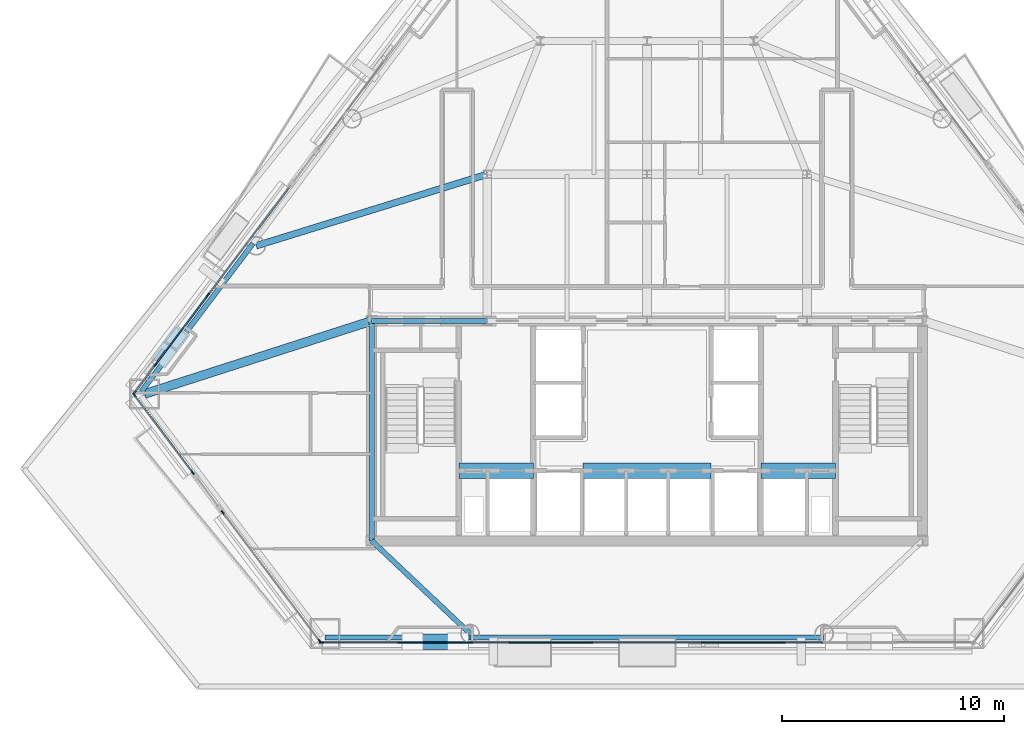
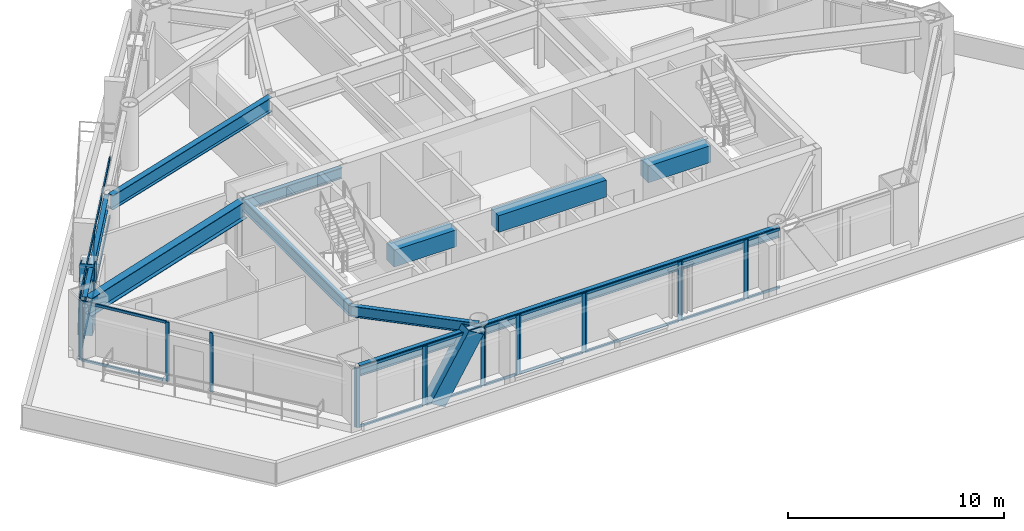
# One storey, part 2 of 13: 46 members, 11 beams, 12 elements without a shape of their own.
"""IFC4 building model written with IfcOpenShell, lengths in metres."""

from ifc_helpers import new_model, si_unit, direction, frame, origin, origin_2d, place, context, subcontext, project, spatial, rectangle, hollow_rectangle, i_section, extrude, material, layer, layer_set, material_profile, profile_set, type_object, element, aggregate, save


model = new_model("IFC4")

# Units and contexts
model_context = context("Model", 3, precision=1e-05, world=origin(), true_north=direction((0.0, 1.0)))
body_context = subcontext(model_context, "Body", "Model", "MODEL_VIEW")
ifc_project = project(units=[si_unit("LENGTHUNIT", "METRE"), si_unit("AREAUNIT", "SQUARE_METRE"), si_unit("VOLUMEUNIT", "CUBIC_METRE"), si_unit("PLANEANGLEUNIT", "RADIAN"), si_unit("MASSUNIT", "GRAM", prefix="KILO")], contexts=[model_context])

# Site, building, storey
site_placement = place(None, origin())
site = spatial("IfcSite", under=ifc_project, at=site_placement, CompositionType="ELEMENT")
building_placement = place(site_placement, origin())
building = spatial("IfcBuilding", under=site, at=building_placement, Name="Talgorran Terracotta Tower", CompositionType="ELEMENT")
storey_placement = place(building_placement, frame((0.0, 0.0, 24.300048828125)))
storey = spatial("IfcBuildingStorey", under=building, at=storey_placement, Name="L05", CompositionType="ELEMENT", Elevation=24.300048828125)

# Beams
ifc_material_1 = material(Name="Steel Grade 350 (350L0)", Category="steel")
ifc_material_profile_1 = material_profile(ifc_material_1, i_section(OverallWidth=0.39990234375, OverallDepth=1.0, WebThickness=0.01611328125, FlangeThickness=0.031005859375, at=origin_2d()), Name="1000WB296")
ifc_profile_set_1 = profile_set([ifc_material_profile_1], Name="Steel Grade 350 (350L0)")
beam_type_1 = type_object("IfcBeamType", Name="BM_1000WB296", PredefinedType="BEAM", material=ifc_profile_set_1)
beam_1_placement = place(storey_placement, frame((-12.39990234375, -4.199951171875, 2.849853515625), z_axis=(-0.951935828117, -0.306297533694, 0.0), x_axis=(0.306297533694, -0.951935828117, 0.0)))
element("IfcBeam", 1, at=beam_1_placement, inside=storey, type_object=beam_type_1, Name="L05 Floor Girder G17", PredefinedType="BEAM", context=body_context, shape_type="SweptSolid", body=[
    extrude(i_section(OverallWidth=0.39990234375, OverallDepth=1.0, WebThickness=0.01611328125, FlangeThickness=0.031005859375, at=origin_2d()), origin(), (0.0, 0.0, 1.0), 10.742919921875),
])
ifc_material_2 = material(Name="Steel S355 (300PLUS)", Category="steel")
ifc_material_profile_2 = material_profile(ifc_material_2, i_section(OverallWidth=0.300048828125, OverallDepth=0.81591796875, WebThickness=0.013916015625, FlangeThickness=0.028076171875, at=origin_2d()), Name="800WB192")
ifc_profile_set_2 = profile_set([ifc_material_profile_2], Name="Steel S355 (300PLUS)")
beam_type_2 = type_object("IfcBeamType", Name="BM_800WB192", PredefinedType="BEAM", material=ifc_profile_set_2)
beam_2_placement = place(storey_placement, frame((-7.199951171875, 2.39990234375, 2.94189453125), z_axis=(-0.955282572472, -0.295694448259, 0.0), x_axis=(0.295694448259, -0.955282572472, 0.0)))
element("IfcBeam", 2, at=beam_2_placement, inside=storey, type_object=beam_type_2, Name="L05 Floor Girder G06", PredefinedType="BEAM", context=body_context, shape_type="SweptSolid", body=[
    extrude(i_section(OverallWidth=0.300048828125, OverallDepth=0.81591796875, WebThickness=0.013916015625, FlangeThickness=0.028076171875, at=origin_2d()), origin(), (0.0, 0.0, 1.0), 10.88623046875),
])
ifc_material_3 = material(Name="Concrete C65/80", Category="concrete")
ifc_material_profile_3 = material_profile(ifc_material_3, rectangle(XDim=0.699951171875, YDim=0.949951171875, at=origin_2d()), Name="RCCB700X950")
ifc_profile_set_3 = profile_set([ifc_material_profile_3], Name="Concrete C65/80")
beam_type_3 = type_object("IfcBeamType", Name="BM_CB_700X950", PredefinedType="LINTEL", material=ifc_profile_set_3)
beam_3_placement = place(storey_placement, frame((-8.47998046875, -10.949951171875, 2.875), z_axis=(1.0, 0.0, 0.0), x_axis=(0.0, 1.0, 0.0)))
element("IfcBeam", 3, at=beam_3_placement, inside=storey, type_object=beam_type_3, Name="L05 Core Shear-Wall Coupling Beam CB1", PredefinedType="LINTEL", context=body_context, shape_type="SweptSolid", body=[
    extrude(rectangle(XDim=0.699951171875, YDim=0.949951171875, at=origin_2d()), origin(), (0.0, 0.0, 1.0), 3.35986328125),
])
beam_4_placement = place(storey_placement, frame((-2.8798828125, -10.949951171875, 2.875), z_axis=(1.0, 0.0, 0.0), x_axis=(0.0, 1.0, 0.0)))
element("IfcBeam", 4, at=beam_4_placement, inside=storey, type_object=beam_type_3, Name="L05 Core Shear-Wall Coupling Beam CB2", PredefinedType="LINTEL", context=body_context, shape_type="SweptSolid", body=[
    extrude(rectangle(XDim=0.699951171875, YDim=0.949951171875, at=origin_2d()), origin(), (0.0, 0.0, 1.0), 5.759765625),
])
beam_5_placement = place(storey_placement, frame((5.1201171875, -10.949951171875, 2.875), z_axis=(1.0, 0.0, 0.0), x_axis=(0.0, 1.0, 0.0)))
element("IfcBeam", 5, at=beam_5_placement, inside=storey, type_object=beam_type_3, Name="L05 Core Shear-Wall Coupling Beam CB3", PredefinedType="LINTEL", context=body_context, shape_type="SweptSolid", body=[
    extrude(rectangle(XDim=0.699951171875, YDim=0.949951171875, at=origin_2d()), origin(), (0.0, 0.0, 1.0), 3.35986328125),
])
ifc_material_profile_4 = material_profile(ifc_material_2, i_section(OverallWidth=0.22900390625, OverallDepth=0.611572265625, WebThickness=0.011962890625, FlangeThickness=0.01953125, at=origin_2d()), Name="610UB125")
ifc_profile_set_4 = profile_set([ifc_material_profile_4], Name="Steel S355 (300PLUS)")
beam_type_4 = type_object("IfcBeamType", Name="BM_SP_610UB125", PredefinedType="SPANDREL", material=ifc_profile_set_4)
beam_6_placement = place(storey_placement, frame((-14.495849609375, -18.4599609375, 3.044189453125), z_axis=(1.0, 0.0, 0.0), x_axis=(0.0, 1.0, 0.0)))
element("IfcBeam", 6, at=beam_6_placement, inside=storey, type_object=beam_type_4, Name="L05 Perimeter Spandrel Beam MC2-FC1", PredefinedType="SPANDREL", context=body_context, shape_type="SweptSolid", body=[
    extrude(i_section(OverallWidth=0.22900390625, OverallDepth=0.611572265625, WebThickness=0.011962890625, FlangeThickness=0.01953125, at=origin_2d()), origin(), (0.0, 0.0, 1.0), 6.523193359375),
])
beam_7_placement = place(storey_placement, frame((-7.97265625, -18.4599609375, 3.044189453125), z_axis=(1.0, 0.0, 0.0), x_axis=(0.0, 1.0, 0.0)))
element("IfcBeam", 7, at=beam_7_placement, inside=storey, type_object=beam_type_4, Name="L05 Perimeter Spandrel Beam FC1-FC2", PredefinedType="SPANDREL", context=body_context, shape_type="SweptSolid", body=[
    extrude(i_section(OverallWidth=0.22900390625, OverallDepth=0.611572265625, WebThickness=0.011962890625, FlangeThickness=0.01953125, at=origin_2d()), origin(), (0.0, 0.0, 1.0), 15.9453125),
])
beam_8_placement = place(storey_placement, frame((-17.7431640625, -0.710693359375, 3.044189453125), z_axis=(-0.601803503312, -0.798644190739, 0.0), x_axis=(0.798644190739, -0.601803503312, 0.0)))
element("IfcBeam", 8, at=beam_8_placement, inside=storey, type_object=beam_type_4, Name="L05 Perimeter Spandrel Beam FC6-MC1", PredefinedType="SPANDREL", context=body_context, shape_type="SweptSolid", body=[
    extrude(i_section(OverallWidth=0.22900390625, OverallDepth=0.611572265625, WebThickness=0.011962890625, FlangeThickness=0.01953125, at=origin_2d()), origin(), (0.0, 0.0, 1.0), 8.353271484375),
])
beam_9_placement = place(storey_placement, frame((-7.97265625, -18.280029296875, 3.044189453125), z_axis=(-0.727124342691, 0.686505783126, 0.0), x_axis=(-0.686505783126, -0.727124342691, 0.0)))
element("IfcBeam", 9, at=beam_9_placement, inside=storey, type_object=beam_type_4, Name="L05 South-West Core Tie Beam", PredefinedType="SPANDREL", context=body_context, shape_type="SweptSolid", body=[
    extrude(i_section(OverallWidth=0.22900390625, OverallDepth=0.611572265625, WebThickness=0.011962890625, FlangeThickness=0.01953125, at=origin_2d()), origin(), (0.0, 0.0, 1.0), 6.088623046875),
])
beam_10_placement = place(storey_placement, frame((-12.39990234375, -14.10009765625, 3.044189453125), z_axis=(0.0, 1.0, 0.0), x_axis=(-1.0, 0.0, 0.0)))
element("IfcBeam", 10, at=beam_10_placement, inside=storey, type_object=beam_type_4, Name="L05 Core Frame Beam CFW", PredefinedType="SPANDREL", context=body_context, shape_type="SweptSolid", body=[
    extrude(i_section(OverallWidth=0.22900390625, OverallDepth=0.611572265625, WebThickness=0.011962890625, FlangeThickness=0.01953125, at=origin_2d()), origin(), (0.0, 0.0, 1.0), 9.900146484375),
])
beam_11_placement = place(storey_placement, frame((-12.39990234375, -4.199951171875, 3.044189453125), z_axis=(1.0, 0.0, 0.0), x_axis=(0.0, 1.0, 0.0)))
element("IfcBeam", 11, at=beam_11_placement, inside=storey, type_object=beam_type_4, Name="L05 Core Frame Beam CFN1", PredefinedType="SPANDREL", context=body_context, shape_type="SweptSolid", body=[
    extrude(i_section(OverallWidth=0.22900390625, OverallDepth=0.611572265625, WebThickness=0.011962890625, FlangeThickness=0.01953125, at=origin_2d()), origin(), (0.0, 0.0, 1.0), 5.199951171875),
])

# Members
ifc_material_profile_5 = material_profile(ifc_material_1, hollow_rectangle(XDim=0.699951171875, YDim=0.89990234375, WallThickness=0.050048828125, at=origin_2d()), Name="WBOX900X700X50")
ifc_profile_set_5 = profile_set([ifc_material_profile_5], Name="Steel Grade 350 (350L0)")
member_type_1 = type_object("IfcMemberType", Name="MB_MEGA_900", PredefinedType="BRACE", material=ifc_profile_set_5)
member_1_placement = place(storey_placement, frame((-10.56640625, -18.639892578125, -0.025146484375), z_axis=(0.517195361559, 0.0, 0.855867371724), x_axis=(0.0, 1.0, 0.0)))
element("IfcMember", 12, at=member_1_placement, inside=storey, type_object=member_type_1, Name="L05 Exterior Face Mega-Brace MB-1 (SWF)", PredefinedType="BRACE", context=body_context, shape_type="SweptSolid", body=[
    extrude(hollow_rectangle(XDim=0.699951171875, YDim=0.89990234375, WallThickness=0.050048828125, at=origin_2d()), origin(), (0.0, 0.0, 1.0), 3.97265625),
])
member_2_placement = place(storey_placement, frame((-21.73095703125, -5.70361328125, -0.025146484375), z_axis=(0.153960189271, 0.204285318766, 0.966728384116), x_axis=(-0.79859763006, 0.601865288302, 0.0)))
element("IfcMember", 13, at=member_2_placement, inside=storey, type_object=member_type_1, Name="L05 Exterior Face Mega-Brace MB-1 (NWL)", PredefinedType="BRACE", context=body_context, shape_type="SweptSolid", body=[
    extrude(hollow_rectangle(XDim=0.699951171875, YDim=0.89990234375, WallThickness=0.050048828125, at=origin_2d()), origin(), (0.0, 0.0, 1.0), 3.51708984375),
])

# Curtain wall, members
ifc_material_4 = material(Name="Unitised Low-E Double Glazing", Category="glass")
ifc_layer = layer(ifc_material_4, 0.199951171875, Name="CW_SYS2_RES_LOW")
ifc_layer_set = layer_set([ifc_layer], Name="Unitised Low-E Double Glazing")
curtain_wall_type = type_object("IfcCurtainWallType", Name="CW_SYS2_RES_LOW", PredefinedType="NOTDEFINED", material=ifc_layer_set)
curtain_wall_1_placement = place(storey_placement, origin())
curtain_wall_1 = element("IfcCurtainWall", 14, at=curtain_wall_1_placement, inside=storey, type_object=curtain_wall_type, Name="CW-L05-F10", PredefinedType="NOTDEFINED")
ifc_material_5 = material(Name="Architectural Aluminium 6063-T6", Category="aluminium")
ifc_material_profile_6 = material_profile(ifc_material_5, rectangle(XDim=0.06494140625, YDim=0.18505859375, at=origin_2d()), Name="CWM65X185")
ifc_profile_set_6 = profile_set([ifc_material_profile_6], Name="Architectural Aluminium 6063-T6")
member_type_2 = type_object("IfcMemberType", Name="MUL_65X185", PredefinedType="MULLION", material=ifc_profile_set_6)
member_3_placement = place(storey_placement, frame((-23.083740234375, -7.54833984375, 0.0), z_axis=(0.0, 0.0, 1.0), x_axis=(0.79864555374, 0.601801694491, 0.0)))
member_3 = element("IfcMember", 15, at=member_3_placement, type_object=member_type_2, Name="CW-L05-10 mullion 1", PredefinedType="MULLION", context=body_context, shape_type="SweptSolid", body=[
    extrude(rectangle(XDim=0.06494140625, YDim=0.18505859375, at=origin_2d()), origin(), (0.0, 0.0, 1.0), 3.349853515625),
])
member_4_placement = place(storey_placement, frame((-20.452880859375, -11.03955078125, 0.0), z_axis=(0.0, 0.0, 1.0), x_axis=(0.79864555374, 0.601801694491, 0.0)))
member_4 = element("IfcMember", 16, at=member_4_placement, type_object=member_type_2, Name="CW-L05-10 mullion 2", PredefinedType="MULLION", context=body_context, shape_type="SweptSolid", body=[
    extrude(rectangle(XDim=0.06494140625, YDim=0.18505859375, at=origin_2d()), origin(), (0.0, 0.0, 1.0), 3.349853515625),
])

curtain_wall_2_placement = place(storey_placement, origin())
curtain_wall_2 = element("IfcCurtainWall", 17, at=curtain_wall_2_placement, inside=storey, type_object=curtain_wall_type, Name="CW-L05-F11", PredefinedType="NOTDEFINED")
member_5_placement = place(storey_placement, frame((-19.11376953125, -12.816650390625, 0.0), z_axis=(0.0, 0.0, 1.0), x_axis=(0.798638317959, 0.601811296909, 0.0)))
member_5 = element("IfcMember", 18, at=member_5_placement, type_object=member_type_2, Name="CW-L05-11 mullion 1", PredefinedType="MULLION", context=body_context, shape_type="SweptSolid", body=[
    extrude(rectangle(XDim=0.06494140625, YDim=0.18505859375, at=origin_2d()), origin(), (0.0, 0.0, 1.0), 3.349853515625),
])
member_6_placement = place(storey_placement, frame((-14.739013671875, -18.6220703125, 0.0), z_axis=(0.0, 0.0, 1.0), x_axis=(0.798638317959, 0.601811296909, 0.0)))
member_6 = element("IfcMember", 19, at=member_6_placement, type_object=member_type_2, Name="CW-L05-11 mullion 2", PredefinedType="MULLION", context=body_context, shape_type="SweptSolid", body=[
    extrude(rectangle(XDim=0.06494140625, YDim=0.18505859375, at=origin_2d()), origin(), (0.0, 0.0, 1.0), 3.349853515625),
])
aggregate(curtain_wall_2, [member_5, member_6])

curtain_wall_3_placement = place(storey_placement, origin())
curtain_wall_3 = element("IfcCurtainWall", 20, at=curtain_wall_3_placement, inside=storey, type_object=curtain_wall_type, Name="CW-L05-F1", PredefinedType="NOTDEFINED")
member_7_placement = place(storey_placement, frame((-14.662841796875, -18.679931640625, 0.0), z_axis=(0.0, 0.0, 1.0), x_axis=(0.0, 1.0, 0.0)))
member_7 = element("IfcMember", 21, at=member_7_placement, type_object=member_type_2, Name="CW-L05-1 mullion 1", PredefinedType="MULLION", context=body_context, shape_type="SweptSolid", body=[
    extrude(rectangle(XDim=0.06494140625, YDim=0.18505859375, at=origin_2d()), origin(), (0.0, 0.0, 1.0), 3.349853515625),
])
member_8_placement = place(storey_placement, frame((-11.138916015625, -18.679931640625, 0.0), z_axis=(0.0, 0.0, 1.0), x_axis=(0.0, 1.0, 0.0)))
member_8 = element("IfcMember", 22, at=member_8_placement, type_object=member_type_2, Name="CW-L05-1 mullion 2", PredefinedType="MULLION", context=body_context, shape_type="SweptSolid", body=[
    extrude(rectangle(XDim=0.06494140625, YDim=0.18505859375, at=origin_2d()), origin(), (0.0, 0.0, 1.0), 3.349853515625),
])

curtain_wall_4_placement = place(storey_placement, origin())
curtain_wall_4 = element("IfcCurtainWall", 23, at=curtain_wall_4_placement, inside=storey, type_object=curtain_wall_type, Name="CW-L05-F1B", PredefinedType="NOTDEFINED")
member_9_placement = place(storey_placement, frame((-11.06396484375, -18.679931640625, 0.0), z_axis=(0.0, 0.0, 1.0), x_axis=(0.0, 1.0, 0.0)))
member_9 = element("IfcMember", 24, at=member_9_placement, type_object=member_type_2, Name="CW-L05-1B mullion 1", PredefinedType="MULLION", context=body_context, shape_type="SweptSolid", body=[
    extrude(rectangle(XDim=0.06494140625, YDim=0.18505859375, at=origin_2d()), origin(), (0.0, 0.0, 1.0), 3.349853515625),
])
member_10_placement = place(storey_placement, frame((-8.01416015625, -18.679931640625, 0.0), z_axis=(0.0, 0.0, 1.0), x_axis=(0.0, 1.0, 0.0)))
member_10 = element("IfcMember", 25, at=member_10_placement, type_object=member_type_2, Name="CW-L05-1B mullion 2", PredefinedType="MULLION", context=body_context, shape_type="SweptSolid", body=[
    extrude(rectangle(XDim=0.06494140625, YDim=0.18505859375, at=origin_2d()), origin(), (0.0, 0.0, 1.0), 3.349853515625),
])

curtain_wall_5_placement = place(storey_placement, origin())
curtain_wall_5 = element("IfcCurtainWall", 26, at=curtain_wall_5_placement, inside=storey, type_object=curtain_wall_type, Name="CW-L05-F1C", PredefinedType="NOTDEFINED")
member_11_placement = place(storey_placement, frame((-7.939208984375, -18.679931640625, 0.0), z_axis=(0.0, 0.0, 1.0), x_axis=(0.0, 1.0, 0.0)))
member_11 = element("IfcMember", 27, at=member_11_placement, type_object=member_type_2, Name="CW-L05-1C mullion 1", PredefinedType="MULLION", context=body_context, shape_type="SweptSolid", body=[
    extrude(rectangle(XDim=0.06494140625, YDim=0.18505859375, at=origin_2d()), origin(), (0.0, 0.0, 1.0), 3.349853515625),
])
member_12_placement = place(storey_placement, frame((-6.126953125, -18.679931640625, 0.0), z_axis=(0.0, 0.0, 1.0), x_axis=(0.0, 1.0, 0.0)))
member_12 = element("IfcMember", 28, at=member_12_placement, type_object=member_type_2, Name="CW-L05-1C mullion 2", PredefinedType="MULLION", context=body_context, shape_type="SweptSolid", body=[
    extrude(rectangle(XDim=0.06494140625, YDim=0.18505859375, at=origin_2d()), origin(), (0.0, 0.0, 1.0), 3.349853515625),
])

curtain_wall_6_placement = place(storey_placement, origin())
curtain_wall_6 = element("IfcCurtainWall", 29, at=curtain_wall_6_placement, inside=storey, type_object=curtain_wall_type, Name="CW-L05-F1D", PredefinedType="NOTDEFINED")
member_13_placement = place(storey_placement, frame((-6.052001953125, -18.679931640625, 0.0), z_axis=(0.0, 0.0, 1.0), x_axis=(0.0, 1.0, 0.0)))
member_13 = element("IfcMember", 30, at=member_13_placement, type_object=member_type_2, Name="CW-L05-1D mullion 1", PredefinedType="MULLION", context=body_context, shape_type="SweptSolid", body=[
    extrude(rectangle(XDim=0.06494140625, YDim=0.18505859375, at=origin_2d()), origin(), (0.0, 0.0, 1.0), 3.349853515625),
])
member_14_placement = place(storey_placement, frame((-2.6064453125, -18.679931640625, 0.0), z_axis=(0.0, 0.0, 1.0), x_axis=(0.0, 1.0, 0.0)))
member_14 = element("IfcMember", 31, at=member_14_placement, type_object=member_type_2, Name="CW-L05-1D mullion 2", PredefinedType="MULLION", context=body_context, shape_type="SweptSolid", body=[
    extrude(rectangle(XDim=0.06494140625, YDim=0.18505859375, at=origin_2d()), origin(), (0.0, 0.0, 1.0), 3.349853515625),
])

curtain_wall_7_placement = place(storey_placement, origin())
curtain_wall_7 = element("IfcCurtainWall", 32, at=curtain_wall_7_placement, inside=storey, type_object=curtain_wall_type, Name="CW-L05-F1E", PredefinedType="NOTDEFINED")
member_15_placement = place(storey_placement, frame((-2.531494140625, -18.679931640625, 0.0), z_axis=(0.0, 0.0, 1.0), x_axis=(0.0, 1.0, 0.0)))
member_15 = element("IfcMember", 33, at=member_15_placement, type_object=member_type_2, Name="CW-L05-1E mullion 1", PredefinedType="MULLION", context=body_context, shape_type="SweptSolid", body=[
    extrude(rectangle(XDim=0.06494140625, YDim=0.18505859375, at=origin_2d()), origin(), (0.0, 0.0, 1.0), 3.349853515625),
])
member_16_placement = place(storey_placement, frame((2.531494140625, -18.679931640625, 0.0), z_axis=(0.0, 0.0, 1.0), x_axis=(0.0, 1.0, 0.0)))
member_16 = element("IfcMember", 34, at=member_16_placement, type_object=member_type_2, Name="CW-L05-1E mullion 2", PredefinedType="MULLION", context=body_context, shape_type="SweptSolid", body=[
    extrude(rectangle(XDim=0.06494140625, YDim=0.18505859375, at=origin_2d()), origin(), (0.0, 0.0, 1.0), 3.349853515625),
])

curtain_wall_8_placement = place(storey_placement, origin())
curtain_wall_8 = element("IfcCurtainWall", 35, at=curtain_wall_8_placement, inside=storey, type_object=curtain_wall_type, Name="CW-L05-F1F", PredefinedType="NOTDEFINED")
member_17_placement = place(storey_placement, frame((2.6064453125, -18.679931640625, 0.0), z_axis=(0.0, 0.0, 1.0), x_axis=(0.0, 1.0, 0.0)))
member_17 = element("IfcMember", 36, at=member_17_placement, type_object=member_type_2, Name="CW-L05-1F mullion 1", PredefinedType="MULLION", context=body_context, shape_type="SweptSolid", body=[
    extrude(rectangle(XDim=0.06494140625, YDim=0.18505859375, at=origin_2d()), origin(), (0.0, 0.0, 1.0), 3.349853515625),
])
member_18_placement = place(storey_placement, frame((6.052001953125, -18.679931640625, 0.0), z_axis=(0.0, 0.0, 1.0), x_axis=(0.0, 1.0, 0.0)))
member_18 = element("IfcMember", 37, at=member_18_placement, type_object=member_type_2, Name="CW-L05-1F mullion 2", PredefinedType="MULLION", context=body_context, shape_type="SweptSolid", body=[
    extrude(rectangle(XDim=0.06494140625, YDim=0.18505859375, at=origin_2d()), origin(), (0.0, 0.0, 1.0), 3.349853515625),
])

# Curtain wall, member
curtain_wall_9_placement = place(storey_placement, origin())
curtain_wall_9 = element("IfcCurtainWall", 38, at=curtain_wall_9_placement, inside=storey, type_object=curtain_wall_type, Name="CW-L05-F1G", PredefinedType="NOTDEFINED")
member_19_placement = place(storey_placement, frame((6.126953125, -18.679931640625, 0.0), z_axis=(0.0, 0.0, 1.0), x_axis=(0.0, 1.0, 0.0)))
member_19 = element("IfcMember", 39, at=member_19_placement, type_object=member_type_2, Name="CW-L05-1G mullion 1", PredefinedType="MULLION", context=body_context, shape_type="SweptSolid", body=[
    extrude(rectangle(XDim=0.06494140625, YDim=0.18505859375, at=origin_2d()), origin(), (0.0, 0.0, 1.0), 3.349853515625),
])

curtain_wall_10_placement = place(storey_placement, origin())
curtain_wall_10 = element("IfcCurtainWall", 40, at=curtain_wall_10_placement, inside=storey, type_object=curtain_wall_type, Name="CW-L05-F61", PredefinedType="NOTDEFINED")
member_20_placement = place(storey_placement, frame((-19.763671875, -3.02685546875, 0.0), z_axis=(0.0, 0.0, 1.0), x_axis=(0.798641578125, -0.601806970457, 0.0)))
member_20 = element("IfcMember", 41, at=member_20_placement, type_object=member_type_2, Name="CW-L05-61 mullion 2", PredefinedType="MULLION", context=body_context, shape_type="SweptSolid", body=[
    extrude(rectangle(XDim=0.06494140625, YDim=0.18505859375, at=origin_2d()), origin(), (0.0, 0.0, 1.0), 3.349853515625),
])

# Curtain wall, members
curtain_wall_11_placement = place(storey_placement, origin())
curtain_wall_11 = element("IfcCurtainWall", 42, at=curtain_wall_11_placement, inside=storey, type_object=curtain_wall_type, Name="CW-L05-F61B", PredefinedType="NOTDEFINED")
member_21_placement = place(storey_placement, frame((-19.808837890625, -3.086669921875, 0.0), z_axis=(0.0, 0.0, 1.0), x_axis=(0.798648498469, -0.601797786547, 0.0)))
member_21 = element("IfcMember", 43, at=member_21_placement, type_object=member_type_2, Name="CW-L05-61B mullion 1", PredefinedType="MULLION", context=body_context, shape_type="SweptSolid", body=[
    extrude(rectangle(XDim=0.06494140625, YDim=0.18505859375, at=origin_2d()), origin(), (0.0, 0.0, 1.0), 3.349853515625),
])
member_22_placement = place(storey_placement, frame((-22.09228515625, -6.116943359375, 0.0), z_axis=(0.0, 0.0, 1.0), x_axis=(0.798648498469, -0.601797786547, 0.0)))
member_22 = element("IfcMember", 44, at=member_22_placement, type_object=member_type_2, Name="CW-L05-61B mullion 2", PredefinedType="MULLION", context=body_context, shape_type="SweptSolid", body=[
    extrude(rectangle(XDim=0.06494140625, YDim=0.18505859375, at=origin_2d()), origin(), (0.0, 0.0, 1.0), 3.349853515625),
])

curtain_wall_12_placement = place(storey_placement, origin())
curtain_wall_12 = element("IfcCurtainWall", 45, at=curtain_wall_12_placement, inside=storey, type_object=curtain_wall_type, Name="CW-L05-F61C", PredefinedType="NOTDEFINED")
member_23_placement = place(storey_placement, frame((-22.137451171875, -6.1767578125, 0.0), z_axis=(0.0, 0.0, 1.0), x_axis=(0.798620032807, -0.601835561594, 0.0)))
member_23 = element("IfcMember", 46, at=member_23_placement, type_object=member_type_2, Name="CW-L05-61C mullion 1", PredefinedType="MULLION", context=body_context, shape_type="SweptSolid", body=[
    extrude(rectangle(XDim=0.06494140625, YDim=0.18505859375, at=origin_2d()), origin(), (0.0, 0.0, 1.0), 3.349853515625),
])
member_24_placement = place(storey_placement, frame((-23.083740234375, -7.4326171875, 0.0), z_axis=(0.0, 0.0, 1.0), x_axis=(0.798620032807, -0.601835561594, 0.0)))
member_24 = element("IfcMember", 47, at=member_24_placement, type_object=member_type_2, Name="CW-L05-61C mullion 2", PredefinedType="MULLION", context=body_context, shape_type="SweptSolid", body=[
    extrude(rectangle(XDim=0.06494140625, YDim=0.18505859375, at=origin_2d()), origin(), (0.0, 0.0, 1.0), 3.349853515625),
])

# Member
ifc_material_profile_7 = material_profile(ifc_material_5, rectangle(XDim=0.06494140625, YDim=0.14990234375, at=origin_2d()), Name="CWT65X150")
ifc_profile_set_7 = profile_set([ifc_material_profile_7], Name="Architectural Aluminium 6063-T6")
member_type_3 = type_object("IfcMemberType", Name="TRN_65X150", PredefinedType="USERDEFINED", material=ifc_profile_set_7)
member_25_placement = place(storey_placement, frame((-23.06396484375, -7.57421875, 0.032470703125), z_axis=(0.601776352282, -0.79866464917, 0.0), x_axis=(0.79866464917, 0.601776352282, 0.0)))
member_25 = element("IfcMember", 48, at=member_25_placement, type_object=member_type_3, Name="CW-L05-10 transom 1.1", ObjectType="TRANSOM", PredefinedType="USERDEFINED", context=body_context, shape_type="SweptSolid", body=[
    extrude(rectangle(XDim=0.06494140625, YDim=0.14990234375, at=origin_2d()), origin(), (0.0, 0.0, 1.0), 4.306396484375),
])

member_26_placement = place(storey_placement, frame((-23.06396484375, -7.57421875, 3.3173828125), z_axis=(0.601776352282, -0.79866464917, 0.0), x_axis=(0.79866464917, 0.601776352282, 0.0)))
member_26 = element("IfcMember", 49, at=member_26_placement, type_object=member_type_3, Name="CW-L05-10 transom 1.2", ObjectType="TRANSOM", PredefinedType="USERDEFINED", context=body_context, shape_type="SweptSolid", body=[
    extrude(rectangle(XDim=0.06494140625, YDim=0.14990234375, at=origin_2d()), origin(), (0.0, 0.0, 1.0), 4.306396484375),
])

aggregate(curtain_wall_1, [member_3, member_4, member_25, member_26])

member_27_placement = place(storey_placement, frame((-14.63037109375, -18.679931640625, 0.032470703125), z_axis=(1.0, 0.0, 0.0), x_axis=(0.0, 1.0, 0.0)))
member_27 = element("IfcMember", 50, at=member_27_placement, type_object=member_type_3, Name="CW-L05-1 transom 1.1", ObjectType="TRANSOM", PredefinedType="USERDEFINED", context=body_context, shape_type="SweptSolid", body=[
    extrude(rectangle(XDim=0.06494140625, YDim=0.14990234375, at=origin_2d()), origin(), (0.0, 0.0, 1.0), 3.458984375),
])

member_28_placement = place(storey_placement, frame((-14.63037109375, -18.679931640625, 3.3173828125), z_axis=(1.0, 0.0, 0.0), x_axis=(0.0, 1.0, 0.0)))
member_28 = element("IfcMember", 51, at=member_28_placement, type_object=member_type_3, Name="CW-L05-1 transom 1.2", ObjectType="TRANSOM", PredefinedType="USERDEFINED", context=body_context, shape_type="SweptSolid", body=[
    extrude(rectangle(XDim=0.06494140625, YDim=0.14990234375, at=origin_2d()), origin(), (0.0, 0.0, 1.0), 3.458984375),
])

aggregate(curtain_wall_3, [member_7, member_8, member_27, member_28])

member_29_placement = place(storey_placement, frame((-11.031494140625, -18.679931640625, 0.032470703125), z_axis=(1.0, 0.0, 0.0), x_axis=(0.0, 1.0, 0.0)))
member_29 = element("IfcMember", 52, at=member_29_placement, type_object=member_type_3, Name="CW-L05-1B transom 1.1", ObjectType="TRANSOM", PredefinedType="USERDEFINED", context=body_context, shape_type="SweptSolid", body=[
    extrude(rectangle(XDim=0.06494140625, YDim=0.14990234375, at=origin_2d()), origin(), (0.0, 0.0, 1.0), 2.98486328125),
])

member_30_placement = place(storey_placement, frame((-11.031494140625, -18.679931640625, 3.3173828125), z_axis=(1.0, 0.0, 0.0), x_axis=(0.0, 1.0, 0.0)))
member_30 = element("IfcMember", 53, at=member_30_placement, type_object=member_type_3, Name="CW-L05-1B transom 1.2", ObjectType="TRANSOM", PredefinedType="USERDEFINED", context=body_context, shape_type="SweptSolid", body=[
    extrude(rectangle(XDim=0.06494140625, YDim=0.14990234375, at=origin_2d()), origin(), (0.0, 0.0, 1.0), 2.98486328125),
])

aggregate(curtain_wall_4, [member_9, member_10, member_29, member_30])

member_31_placement = place(storey_placement, frame((-7.906494140625, -18.679931640625, 0.032470703125), z_axis=(1.0, 0.0, 0.0), x_axis=(0.0, 1.0, 0.0)))
member_31 = element("IfcMember", 54, at=member_31_placement, type_object=member_type_3, Name="CW-L05-1C transom 1.1", ObjectType="TRANSOM", PredefinedType="USERDEFINED", context=body_context, shape_type="SweptSolid", body=[
    extrude(rectangle(XDim=0.06494140625, YDim=0.14990234375, at=origin_2d()), origin(), (0.0, 0.0, 1.0), 1.7470703125),
])

member_32_placement = place(storey_placement, frame((-7.906494140625, -18.679931640625, 3.3173828125), z_axis=(1.0, 0.0, 0.0), x_axis=(0.0, 1.0, 0.0)))
member_32 = element("IfcMember", 55, at=member_32_placement, type_object=member_type_3, Name="CW-L05-1C transom 1.2", ObjectType="TRANSOM", PredefinedType="USERDEFINED", context=body_context, shape_type="SweptSolid", body=[
    extrude(rectangle(XDim=0.06494140625, YDim=0.14990234375, at=origin_2d()), origin(), (0.0, 0.0, 1.0), 1.7470703125),
])

aggregate(curtain_wall_5, [member_11, member_12, member_31, member_32])

member_33_placement = place(storey_placement, frame((-6.01953125, -18.679931640625, 0.032470703125), z_axis=(1.0, 0.0, 0.0), x_axis=(0.0, 1.0, 0.0)))
member_33 = element("IfcMember", 56, at=member_33_placement, type_object=member_type_3, Name="CW-L05-1D transom 1.1", ObjectType="TRANSOM", PredefinedType="USERDEFINED", context=body_context, shape_type="SweptSolid", body=[
    extrude(rectangle(XDim=0.06494140625, YDim=0.14990234375, at=origin_2d()), origin(), (0.0, 0.0, 1.0), 3.380615234375),
])

member_34_placement = place(storey_placement, frame((-6.01953125, -18.679931640625, 3.3173828125), z_axis=(1.0, 0.0, 0.0), x_axis=(0.0, 1.0, 0.0)))
member_34 = element("IfcMember", 57, at=member_34_placement, type_object=member_type_3, Name="CW-L05-1D transom 1.2", ObjectType="TRANSOM", PredefinedType="USERDEFINED", context=body_context, shape_type="SweptSolid", body=[
    extrude(rectangle(XDim=0.06494140625, YDim=0.14990234375, at=origin_2d()), origin(), (0.0, 0.0, 1.0), 3.380615234375),
])

aggregate(curtain_wall_6, [member_13, member_14, member_33, member_34])

member_35_placement = place(storey_placement, frame((-2.4990234375, -18.679931640625, 0.032470703125), z_axis=(1.0, 0.0, 0.0), x_axis=(0.0, 1.0, 0.0)))
member_35 = element("IfcMember", 58, at=member_35_placement, type_object=member_type_3, Name="CW-L05-1E transom 1.1", ObjectType="TRANSOM", PredefinedType="USERDEFINED", context=body_context, shape_type="SweptSolid", body=[
    extrude(rectangle(XDim=0.06494140625, YDim=0.14990234375, at=origin_2d()), origin(), (0.0, 0.0, 1.0), 4.998046875),
])

member_36_placement = place(storey_placement, frame((-2.4990234375, -18.679931640625, 3.3173828125), z_axis=(1.0, 0.0, 0.0), x_axis=(0.0, 1.0, 0.0)))
member_36 = element("IfcMember", 59, at=member_36_placement, type_object=member_type_3, Name="CW-L05-1E transom 1.2", ObjectType="TRANSOM", PredefinedType="USERDEFINED", context=body_context, shape_type="SweptSolid", body=[
    extrude(rectangle(XDim=0.06494140625, YDim=0.14990234375, at=origin_2d()), origin(), (0.0, 0.0, 1.0), 4.998046875),
])

aggregate(curtain_wall_7, [member_15, member_16, member_35, member_36])

member_37_placement = place(storey_placement, frame((2.638916015625, -18.679931640625, 0.032470703125), z_axis=(1.0, 0.0, 0.0), x_axis=(0.0, 1.0, 0.0)))
member_37 = element("IfcMember", 60, at=member_37_placement, type_object=member_type_3, Name="CW-L05-1F transom 1.1", ObjectType="TRANSOM", PredefinedType="USERDEFINED", context=body_context, shape_type="SweptSolid", body=[
    extrude(rectangle(XDim=0.06494140625, YDim=0.14990234375, at=origin_2d()), origin(), (0.0, 0.0, 1.0), 3.380615234375),
])

member_38_placement = place(storey_placement, frame((2.638916015625, -18.679931640625, 3.3173828125), z_axis=(1.0, 0.0, 0.0), x_axis=(0.0, 1.0, 0.0)))
member_38 = element("IfcMember", 61, at=member_38_placement, type_object=member_type_3, Name="CW-L05-1F transom 1.2", ObjectType="TRANSOM", PredefinedType="USERDEFINED", context=body_context, shape_type="SweptSolid", body=[
    extrude(rectangle(XDim=0.06494140625, YDim=0.14990234375, at=origin_2d()), origin(), (0.0, 0.0, 1.0), 3.380615234375),
])

aggregate(curtain_wall_8, [member_17, member_18, member_37, member_38])

member_39_placement = place(storey_placement, frame((6.159423828125, -18.679931640625, 0.032470703125), z_axis=(1.0, 0.0, 0.0), x_axis=(0.0, 1.0, 0.0)))
member_39 = element("IfcMember", 62, at=member_39_placement, type_object=member_type_3, Name="CW-L05-1G transom 1.1", ObjectType="TRANSOM", PredefinedType="USERDEFINED", context=body_context, shape_type="SweptSolid", body=[
    extrude(rectangle(XDim=0.06494140625, YDim=0.14990234375, at=origin_2d()), origin(), (0.0, 0.0, 1.0), 1.7470703125),
])

member_40_placement = place(storey_placement, frame((6.159423828125, -18.679931640625, 3.3173828125), z_axis=(1.0, 0.0, 0.0), x_axis=(0.0, 1.0, 0.0)))
member_40 = element("IfcMember", 63, at=member_40_placement, type_object=member_type_3, Name="CW-L05-1G transom 1.2", ObjectType="TRANSOM", PredefinedType="USERDEFINED", context=body_context, shape_type="SweptSolid", body=[
    extrude(rectangle(XDim=0.06494140625, YDim=0.14990234375, at=origin_2d()), origin(), (0.0, 0.0, 1.0), 1.7470703125),
])

aggregate(curtain_wall_9, [member_19, member_39, member_40])

member_41_placement = place(storey_placement, frame((-16.132568359375, 1.7919921875, 0.032470703125), z_axis=(-0.601814515672, -0.79863589246, 0.0), x_axis=(0.79863589246, -0.601814515672, 0.0)))
member_41 = element("IfcMember", 64, at=member_41_placement, type_object=member_type_3, Name="CW-L05-61 transom 1.1", ObjectType="TRANSOM", PredefinedType="USERDEFINED", context=body_context, shape_type="SweptSolid", body=[
    extrude(rectangle(XDim=0.06494140625, YDim=0.14990234375, at=origin_2d()), origin(), (0.0, 0.0, 1.0), 6.001220703125),
])

member_42_placement = place(storey_placement, frame((-16.132568359375, 1.7919921875, 3.3173828125), z_axis=(-0.601814515672, -0.79863589246, 0.0), x_axis=(0.79863589246, -0.601814515672, 0.0)))
member_42 = element("IfcMember", 65, at=member_42_placement, type_object=member_type_3, Name="CW-L05-61 transom 1.2", ObjectType="TRANSOM", PredefinedType="USERDEFINED", context=body_context, shape_type="SweptSolid", body=[
    extrude(rectangle(XDim=0.06494140625, YDim=0.14990234375, at=origin_2d()), origin(), (0.0, 0.0, 1.0), 6.001220703125),
])

aggregate(curtain_wall_10, [member_20, member_41, member_42])

member_43_placement = place(storey_placement, frame((-19.828369140625, -3.112548828125, 0.032470703125), z_axis=(-0.601800016393, -0.79864681823, 0.0), x_axis=(0.79864681823, -0.601800016393, 0.0)))
member_43 = element("IfcMember", 66, at=member_43_placement, type_object=member_type_3, Name="CW-L05-61B transom 1.1", ObjectType="TRANSOM", PredefinedType="USERDEFINED", context=body_context, shape_type="SweptSolid", body=[
    extrude(rectangle(XDim=0.06494140625, YDim=0.14990234375, at=origin_2d()), origin(), (0.0, 0.0, 1.0), 3.7294921875),
])

member_44_placement = place(storey_placement, frame((-19.828369140625, -3.112548828125, 3.3173828125), z_axis=(-0.601800016393, -0.79864681823, 0.0), x_axis=(0.79864681823, -0.601800016393, 0.0)))
member_44 = element("IfcMember", 67, at=member_44_placement, type_object=member_type_3, Name="CW-L05-61B transom 1.2", ObjectType="TRANSOM", PredefinedType="USERDEFINED", context=body_context, shape_type="SweptSolid", body=[
    extrude(rectangle(XDim=0.06494140625, YDim=0.14990234375, at=origin_2d()), origin(), (0.0, 0.0, 1.0), 3.7294921875),
])

aggregate(curtain_wall_11, [member_21, member_22, member_43, member_44])

member_45_placement = place(storey_placement, frame((-22.156982421875, -6.202880859375, 0.032470703125), z_axis=(-0.6018128051, -0.798637181465, 0.0), x_axis=(0.798637181465, -0.6018128051, 0.0)))
member_45 = element("IfcMember", 68, at=member_45_placement, type_object=member_type_3, Name="CW-L05-61C transom 1.1", ObjectType="TRANSOM", PredefinedType="USERDEFINED", context=body_context, shape_type="SweptSolid", body=[
    extrude(rectangle(XDim=0.06494140625, YDim=0.14990234375, at=origin_2d()), origin(), (0.0, 0.0, 1.0), 1.507080078125),
])

member_46_placement = place(storey_placement, frame((-22.156982421875, -6.202880859375, 3.3173828125), z_axis=(-0.6018128051, -0.798637181465, 0.0), x_axis=(0.798637181465, -0.6018128051, 0.0)))
member_46 = element("IfcMember", 69, at=member_46_placement, type_object=member_type_3, Name="CW-L05-61C transom 1.2", ObjectType="TRANSOM", PredefinedType="USERDEFINED", context=body_context, shape_type="SweptSolid", body=[
    extrude(rectangle(XDim=0.06494140625, YDim=0.14990234375, at=origin_2d()), origin(), (0.0, 0.0, 1.0), 1.507080078125),
])

aggregate(curtain_wall_12, [member_23, member_24, member_45, member_46])

save(model, "model.ifc")
